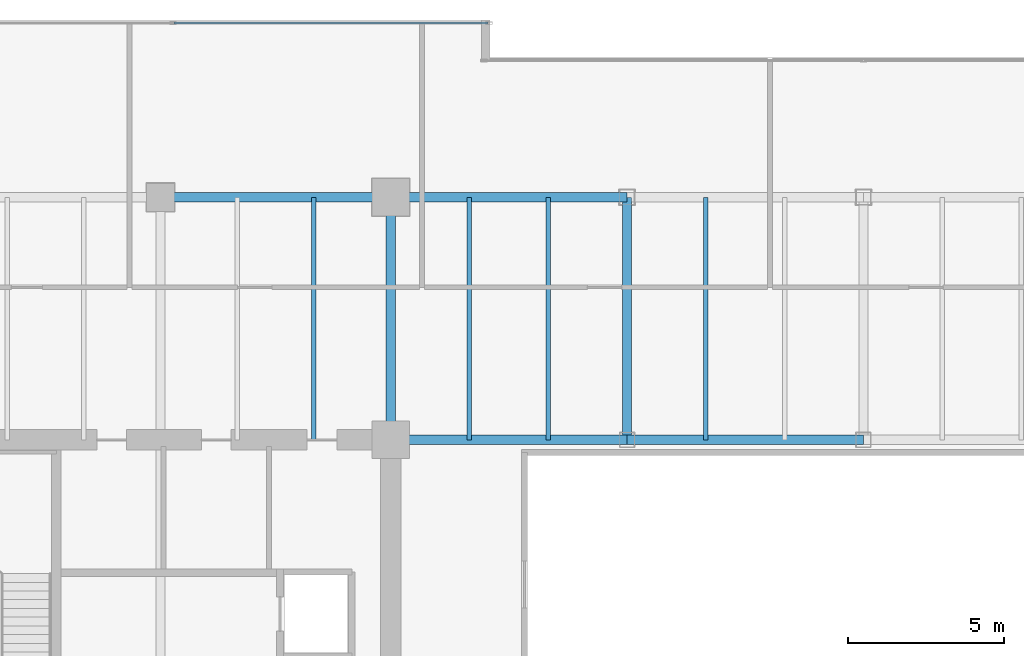
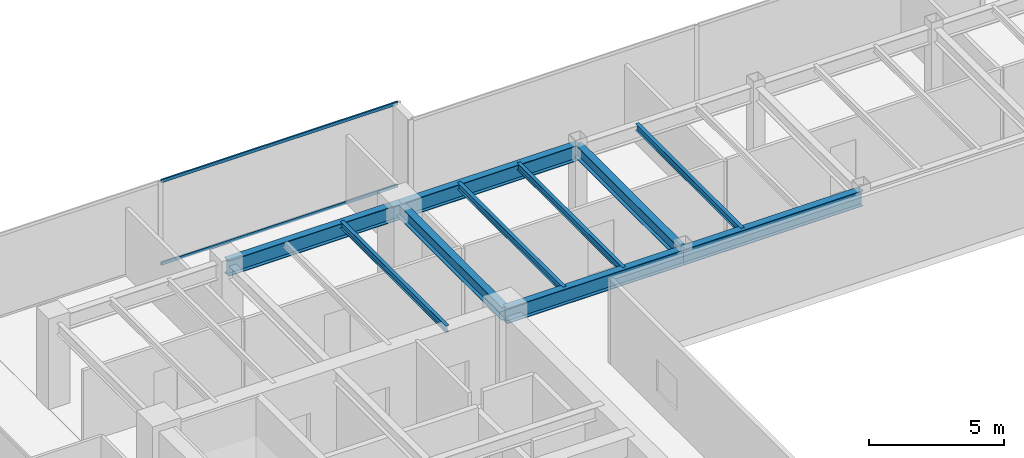
# One storey, part 15 of 33: 10 beams, 2 members, 1 element without a shape of its own.
"""IFC4 building model written with IfcOpenShell, lengths in metres."""

from ifc_helpers import new_model, si_unit, direction, frame, origin, origin_2d, place, context, subcontext, project, spatial, hollow_rectangle, i_section, extrude, source, transform, mapped, material, layer, layer_set, material_profile, profile_set, type_object, type_shapes, element, aggregate, save


model = new_model("IFC4")

# Units and contexts
model_context = context("Model", 3, precision=1e-05, world=origin(), true_north=direction((0.0, 1.0)))
body_context = subcontext(model_context, "Body", "Model", "MODEL_VIEW")
ifc_project = project(units=[si_unit("LENGTHUNIT", "METRE"), si_unit("AREAUNIT", "SQUARE_METRE"), si_unit("VOLUMEUNIT", "CUBIC_METRE"), si_unit("PLANEANGLEUNIT", "RADIAN"), si_unit("MASSUNIT", "GRAM", prefix="KILO")], contexts=[model_context])

# Site, building, storey
site_placement = place(None, origin())
site = spatial("IfcSite", under=ifc_project, at=site_placement, CompositionType="ELEMENT")
building_placement = place(site_placement, origin())
building = spatial("IfcBuilding", under=site, at=building_placement, Name="Haelvirn Gate Laboratories", CompositionType="ELEMENT")
storey_placement = place(building_placement, frame((0.0, 0.0, 166.60009765625)))
storey = spatial("IfcBuildingStorey", under=building, at=storey_placement, Name="L40", CompositionType="ELEMENT", Elevation=166.60009765625)

# Beams
ifc_material_1 = material(Name="Steel SM355", Category="steel")
ifc_material_profile_1 = material_profile(ifc_material_1, i_section(OverallWidth=0.300048828125, OverallDepth=0.699951171875, WebThickness=0.012939453125, FlangeThickness=0.02392578125, at=origin_2d()), Name="H-700x300x13x24")
ifc_profile_set_1 = profile_set([ifc_material_profile_1], Name="Steel SM355")
beam_type_1 = type_object("IfcBeamType", Name="BM-G-700", PredefinedType="BEAM", material=ifc_profile_set_1)
shared_shape_1 = source(origin(), body_context, "Body", "SweptSolid", [
    extrude(i_section(OverallWidth=0.300048828125, OverallDepth=0.699951171875, WebThickness=0.012939453125, FlangeThickness=0.02392578125, at=origin_2d()), origin(), (0.0, 0.0, 1.0), 7.39990234375),
])
beam_1_placement = place(storey_placement, frame((14.800048828125, 41.60009765625, 3.43994140625), z_axis=(1.0, 0.0, 0.0), x_axis=(0.0, 1.0, 0.0)))
element("IfcBeam", 1, at=beam_1_placement, inside=storey, type_object=beam_type_1, Name="L40 Primary Girder Y41.6 (14.8-22.2)", PredefinedType="BEAM", context=body_context, shape_type="MappedRepresentation", body=[
    mapped(shared_shape_1, transform((0.0, 0.0, 0.0), scale=1.0)),
])
shared_shape_2 = source(origin(), body_context, "Body", "SweptSolid", [
    extrude(i_section(OverallWidth=0.300048828125, OverallDepth=0.699951171875, WebThickness=0.012939453125, FlangeThickness=0.02392578125, at=origin_2d()), origin(), (0.0, 0.0, 1.0), 7.60009765625),
])
for number, where, z_axis, x_axis, name in (
    (2, (22.199951171875, 33.800048828125, 3.43994140625), (1.0, 0.0, 0.0), (0.0, 1.0, 0.0), "L40 Primary Girder Y33.8 (22.2-29.8)"),
    (3, (22.199951171875, 41.60009765625, 3.43994140625), (1.0, 0.0, 0.0), (0.0, 1.0, 0.0), "L40 Primary Girder Y41.6 (22.2-29.8)"),
):
    element("IfcBeam", number, at=place(storey_placement, frame(where, z_axis=z_axis, x_axis=x_axis)), inside=storey, type_object=beam_type_1, Name=name, PredefinedType="BEAM", context=body_context, shape_type="MappedRepresentation", body=[
        mapped(shared_shape_2, transform((0.0, 0.0, 0.0), scale=1.0)),
    ])
shared_shape_3 = source(origin(), body_context, "Body", "SweptSolid", [
    extrude(i_section(OverallWidth=0.300048828125, OverallDepth=0.699951171875, WebThickness=0.012939453125, FlangeThickness=0.02392578125, at=origin_2d()), origin(), (0.0, 0.0, 1.0), 7.599853515625),
])
type_shapes(beam_type_1, [shared_shape_1, shared_shape_2, shared_shape_3])
beam_2_placement = place(storey_placement, frame((29.800048828125, 33.800048828125, 3.43994140625), z_axis=(1.0, 0.0, 0.0), x_axis=(0.0, 1.0, 0.0)))
element("IfcBeam", 4, at=beam_2_placement, inside=storey, type_object=beam_type_1, Name="L40 Primary Girder Y33.8 (29.8-37.4)", PredefinedType="BEAM", context=body_context, shape_type="MappedRepresentation", body=[
    mapped(shared_shape_3, transform((0.0, 0.0, 0.0), scale=1.0)),
])
ifc_material_profile_2 = material_profile(ifc_material_1, i_section(OverallWidth=0.14990234375, OverallDepth=0.300048828125, WebThickness=0.006591796875, FlangeThickness=0.009033203125, at=origin_2d()), Name="H-300x150x6.5x9")
ifc_profile_set_2 = profile_set([ifc_material_profile_2], Name="Steel SM355")
beam_type_2 = type_object("IfcBeamType", Name="BM-J-300", PredefinedType="JOIST", material=ifc_profile_set_2)
shared_shape_4 = source(origin(), body_context, "Body", "SweptSolid", [
    extrude(i_section(OverallWidth=0.14990234375, OverallDepth=0.300048828125, WebThickness=0.006591796875, FlangeThickness=0.009033203125, at=origin_2d()), origin(), (0.0, 0.0, 1.0), 7.800048828125),
])
type_shapes(beam_type_2, [shared_shape_4])
for number, where, z_axis, x_axis, name in (
    (5, (19.72998046875, 33.800048828125, 3.639892578125), (0.0, 1.0, 0.0), (-1.0, 0.0, 0.0), "L40 Composite Lab Joist North X19.73"),
    (6, (24.72998046875, 33.800048828125, 3.639892578125), (0.0, 1.0, 0.0), (-1.0, 0.0, 0.0), "L40 Composite Lab Joist North X24.73"),
    (7, (27.27001953125, 33.800048828125, 3.639892578125), (0.0, 1.0, 0.0), (-1.0, 0.0, 0.0), "L40 Composite Lab Joist North X27.27"),
    (8, (32.330078125, 33.800048828125, 3.639892578125), (0.0, 1.0, 0.0), (-1.0, 0.0, 0.0), "L40 Composite Lab Joist North X32.33"),
):
    element("IfcBeam", number, at=place(storey_placement, frame(where, z_axis=z_axis, x_axis=x_axis)), inside=storey, type_object=beam_type_2, Name=name, PredefinedType="JOIST", context=body_context, shape_type="MappedRepresentation", body=[
        mapped(shared_shape_4, transform((0.0, 0.0, 0.0), scale=1.0)),
    ])
ifc_material_profile_3 = material_profile(ifc_material_1, i_section(OverallWidth=0.300048828125, OverallDepth=0.587890625, WebThickness=0.011962890625, FlangeThickness=0.02001953125, at=origin_2d()), Name="H-588x300x12x20")
ifc_profile_set_3 = profile_set([ifc_material_profile_3], Name="Steel SM355")
beam_type_3 = type_object("IfcBeamType", Name="BM-G-588", PredefinedType="BEAM", material=ifc_profile_set_3)
shared_shape_5 = source(origin(), body_context, "Body", "SweptSolid", [
    extrude(i_section(OverallWidth=0.300048828125, OverallDepth=0.587890625, WebThickness=0.011962890625, FlangeThickness=0.02001953125, at=origin_2d()), origin(), (0.0, 0.0, 1.0), 7.800048828125),
])
type_shapes(beam_type_3, [shared_shape_5])
for number, where, z_axis, x_axis, name in (
    (9, (22.199951171875, 33.800048828125, 3.495849609375), (0.0, 1.0, 0.0), (-1.0, 0.0, 0.0), "L40 Frame Girder X22.2 (33.8-41.6)"),
    (10, (29.800048828125, 33.800048828125, 3.495849609375), (0.0, 1.0, 0.0), (-1.0, 0.0, 0.0), "L40 Frame Girder X29.8 (33.8-41.6)"),
):
    element("IfcBeam", number, at=place(storey_placement, frame(where, z_axis=z_axis, x_axis=x_axis)), inside=storey, type_object=beam_type_3, Name=name, PredefinedType="BEAM", context=body_context, shape_type="MappedRepresentation", body=[
        mapped(shared_shape_5, transform((0.0, 0.0, 0.0), scale=1.0)),
    ])

# Curtain wall, members
ifc_material_2 = material(Name="Anodised bronze unitised aluminium & triple low-E glass", Category="aluminium")
ifc_layer = layer(ifc_material_2, 0.179931640625, Name="CW-SYS-3")
ifc_layer_set = layer_set([ifc_layer], Name="Anodised bronze unitised aluminium & triple low-E glass")
curtain_wall_type = type_object("IfcCurtainWallType", Name="CW-SYS-3", PredefinedType="NOTDEFINED", material=ifc_layer_set)
curtain_wall_placement = place(storey_placement, origin())
curtain_wall = element("IfcCurtainWall", 11, at=curtain_wall_placement, inside=storey, type_object=curtain_wall_type, Name="L40 Unitised Curtain Wall CW-L40-P0-E14-1", PredefinedType="NOTDEFINED")
ifc_material_3 = material(Name="Extruded aluminium 6063-T6 (anodised bronze)", Category="aluminium")
ifc_material_profile_4 = material_profile(ifc_material_3, hollow_rectangle(XDim=0.06494140625, YDim=0.139892578125, WallThickness=0.00390625, at=origin_2d()), Name="CWT-140x65x4")
ifc_profile_set_4 = profile_set([ifc_material_profile_4], Name="Extruded aluminium 6063-T6 (anodised bronze)")
member_type = type_object("IfcMemberType", Name="CWT-T140", PredefinedType="USERDEFINED", material=ifc_profile_set_4)
shared_shape_6 = source(origin(), body_context, "Body", "SweptSolid", [
    extrude(hollow_rectangle(XDim=0.06494140625, YDim=0.139892578125, WallThickness=0.00390625, at=origin_2d()), origin(), (0.0, 0.0, 1.0), 10.08740234375),
])
type_shapes(member_type, [shared_shape_6])
member_1_placement = place(storey_placement, frame((15.237548828125, 47.199951171875, 0.032470703125), z_axis=(1.0, 0.0, 0.0), x_axis=(0.0, 1.0, 0.0)))
member_1 = element("IfcMember", 12, at=member_1_placement, type_object=member_type, Name="CW3 transom 2.1", ObjectType="TRANSOM", PredefinedType="USERDEFINED", context=body_context, shape_type="MappedRepresentation", body=[
    mapped(shared_shape_6, transform((0.0, 0.0, 0.0), scale=1.0)),
])
member_2_placement = place(storey_placement, frame((15.237548828125, 47.199951171875, 3.75732421875), z_axis=(1.0, 0.0, 0.0), x_axis=(0.0, 1.0, 0.0)))
member_2 = element("IfcMember", 13, at=member_2_placement, type_object=member_type, Name="CW3 transom 2.2", ObjectType="TRANSOM", PredefinedType="USERDEFINED", context=body_context, shape_type="MappedRepresentation", body=[
    mapped(shared_shape_6, transform((0.0, 0.0, 0.0), scale=1.0)),
])
aggregate(curtain_wall, [member_1, member_2])

save(model, "model.ifc")
